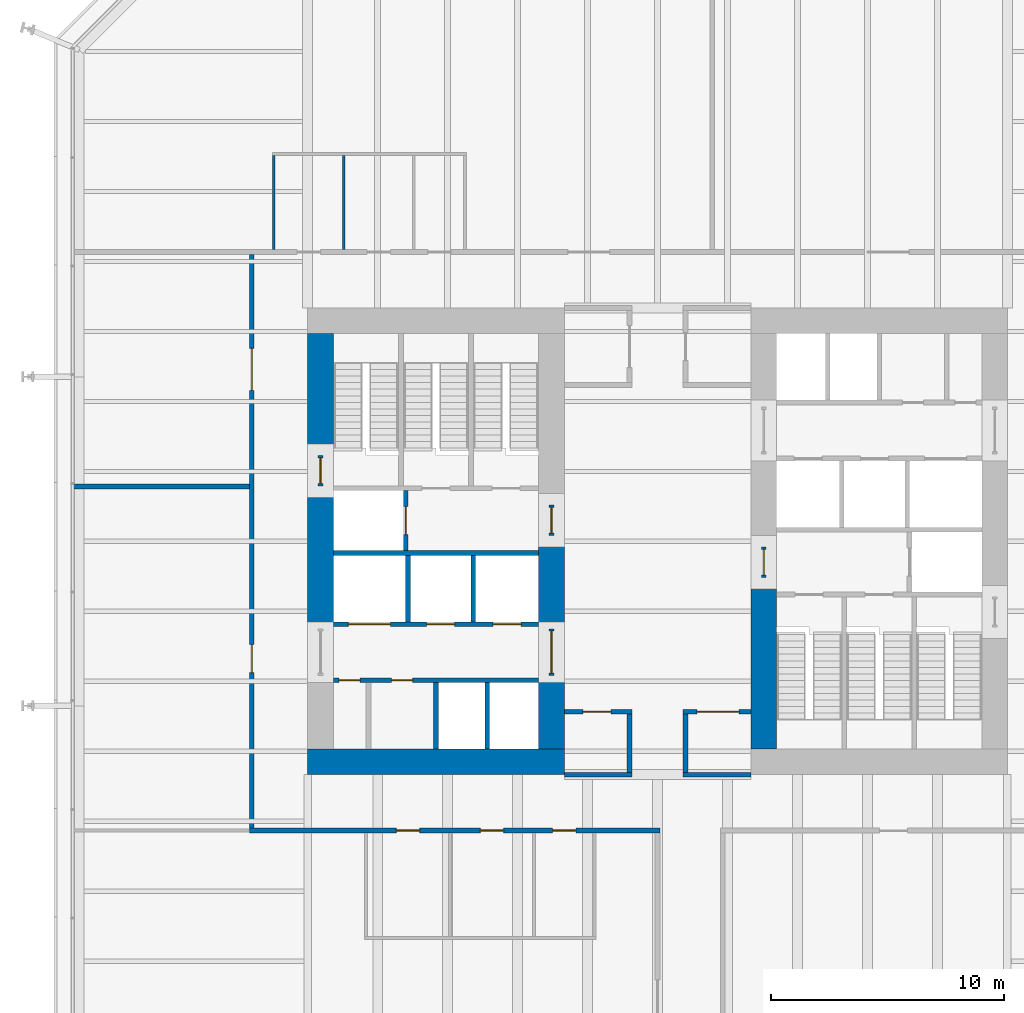
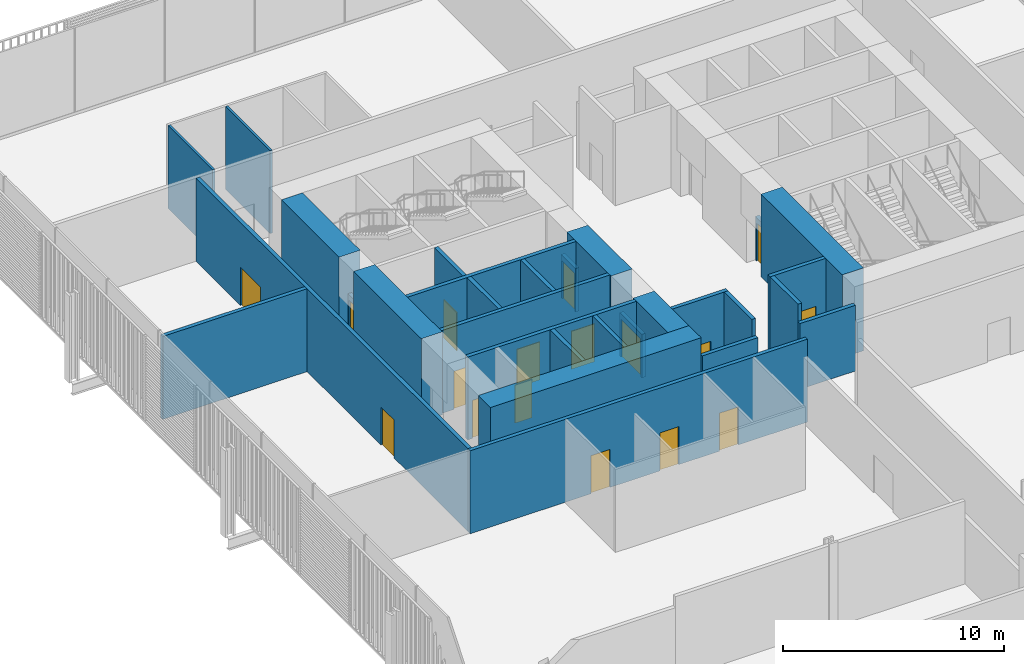
# One storey, part 19 of 25: 29 walls, 17 doors, 17 openings.
"""IFC4 building model written with IfcOpenShell, lengths in metres."""

from ifc_helpers import new_model, si_unit, direction, frame, frame_2d, origin, place, context, subcontext, project, spatial, rectangle, extrude, material, layer, layer_set, type_object, element, fill, save


model = new_model("IFC4")

# Units and contexts
model_context = context("Model", 3, precision=1e-05, world=origin(), true_north=direction((0.0, 1.0)))
body_context = subcontext(model_context, "Body", "Model", "MODEL_VIEW")
ifc_project = project(units=[si_unit("LENGTHUNIT", "METRE"), si_unit("AREAUNIT", "SQUARE_METRE"), si_unit("VOLUMEUNIT", "CUBIC_METRE"), si_unit("PLANEANGLEUNIT", "RADIAN"), si_unit("MASSUNIT", "GRAM", prefix="KILO")], contexts=[model_context])

# Site, building, storey
site_placement = place(None, origin())
site = spatial("IfcSite", under=ifc_project, at=site_placement, CompositionType="ELEMENT")
building_placement = place(site_placement, origin())
building = spatial("IfcBuilding", under=site, at=building_placement, Name="Millrace Tower", CompositionType="ELEMENT")
storey_placement = place(building_placement, frame((0.0, 0.0, 6.5)))
storey = spatial("IfcBuildingStorey", under=building, at=storey_placement, Name="L02", CompositionType="ELEMENT", Elevation=6.5)

# Walls
ifc_material_1 = material(Name="Concrete C80", Category="concrete")
ifc_layer_1 = layer(ifc_material_1, 1.10009765625)
ifc_layer_set_1 = layer_set([ifc_layer_1], Name="Concrete C80")
wall_type_1 = type_object("IfcWallType", Name="Core wall 1100 Concrete C80", PredefinedType="SHEAR", material=ifc_layer_set_1)
wall_1_placement = place(storey_placement, frame((-15.0, -9.449951171875, 0.0), z_axis=(0.0, 0.0, 1.0), x_axis=(1.0, 0.0, 0.0)))
element("IfcWall", 1, at=wall_1_placement, inside=storey, type_object=wall_type_1, Name="Core wall W L02", PredefinedType="SHEAR", context=body_context, shape_type="SweptSolid", body=[
    extrude(rectangle(XDim=11.0, YDim=1.10009765625, at=frame_2d((5.5, 0.0))), origin(), (0.0, 0.0, 1.0), 4.574951171875),
])
wall_2_placement = place(storey_placement, frame((-14.449951171875, -3.75, 0.0), z_axis=(0.0, 0.0, 1.0), x_axis=(0.0, 1.0, 0.0)))
element("IfcWall", 2, at=wall_2_placement, inside=storey, type_object=wall_type_1, Name="Core wall W L02", PredefinedType="SHEAR", context=body_context, shape_type="SweptSolid", body=[
    extrude(rectangle(XDim=6.1298828125, YDim=1.10009765625, at=frame_2d((3.06494140625, 0.0))), origin(), (0.0, 0.0, 1.0), 4.574951171875),
])
wall_3_placement = place(storey_placement, frame((-14.449951171875, 3.679931640625, 0.0), z_axis=(0.0, 0.0, 1.0), x_axis=(0.0, 1.0, 0.0)))
element("IfcWall", 3, at=wall_3_placement, inside=storey, type_object=wall_type_1, Name="Core wall W L02", PredefinedType="SHEAR", context=body_context, shape_type="SweptSolid", body=[
    extrude(rectangle(XDim=5.219970703125, YDim=1.10009765625, at=frame_2d((2.60986328125, 0.0))), origin(), (0.0, 0.0, 1.0), 4.574951171875),
])
wall_4_placement = place(storey_placement, frame((-4.550048828125, -8.89990234375, 0.0), z_axis=(0.0, 0.0, 1.0), x_axis=(0.0, 1.0, 0.0)))
element("IfcWall", 4, at=wall_4_placement, inside=storey, type_object=wall_type_1, Name="Core wall W L02", PredefinedType="SHEAR", context=body_context, shape_type="SweptSolid", body=[
    extrude(rectangle(XDim=3.14990234375, YDim=1.10009765625, at=frame_2d((1.574951171875, 0.0))), origin(), (0.0, 0.0, 1.0), 4.574951171875),
])
wall_5_placement = place(storey_placement, frame((-4.550048828125, -3.75, 0.0), z_axis=(0.0, 0.0, 1.0), x_axis=(0.0, 1.0, 0.0)))
element("IfcWall", 5, at=wall_5_placement, inside=storey, type_object=wall_type_1, Name="Core wall W L02", PredefinedType="SHEAR", context=body_context, shape_type="SweptSolid", body=[
    extrude(rectangle(XDim=4.0, YDim=1.10009765625, at=frame_2d((2.0, 0.0))), origin(), (0.0, 0.0, 1.0), 4.574951171875),
])
wall_6_placement = place(storey_placement, frame((4.550048828125, -1.550048828125, 0.0), z_axis=(0.0, 0.0, 1.0), x_axis=(0.0, -1.0, 0.0)))
element("IfcWall", 6, at=wall_6_placement, inside=storey, type_object=wall_type_1, Name="Core wall E L02", PredefinedType="SHEAR", context=body_context, shape_type="SweptSolid", body=[
    extrude(rectangle(XDim=7.349853515625, YDim=1.10009765625, at=frame_2d((3.6748046875, 0.0))), origin(), (0.0, 0.0, 1.0), 4.574951171875),
])

# Wall, openings, doors
ifc_material_2 = material(Name="Masonry partition, fire-rated", Category="masonry")
ifc_layer_2 = layer(ifc_material_2, 0.199951171875)
ifc_layer_set_2 = layer_set([ifc_layer_2], Name="Masonry partition, fire-rated")
wall_type_2 = type_object("IfcWallType", Name="Corridor wall 200", PredefinedType="PARTITIONING", material=ifc_layer_set_2)
wall_7_placement = place(storey_placement, frame((-17.5, -12.39990234375, 0.0), z_axis=(0.0, 0.0, 1.0), x_axis=(1.0, 0.0, 0.0)))
wall_7 = element("IfcWall", 7, at=wall_7_placement, inside=storey, type_object=wall_type_2, Name="Corridor wall L02", PredefinedType="PARTITIONING", context=body_context, shape_type="SweptSolid", body=[
    extrude(rectangle(XDim=17.60009765625, YDim=0.199951171875, at=frame_2d((8.800048828125, 0.0))), origin(), (0.0, 0.0, 1.0), 4.574951171875),
])
opening_1_placement = place(wall_7_placement, frame((6.300048828125, 0.0, 0.0)))
opening_1 = element("IfcOpeningElement", 8, at=opening_1_placement, cuts=wall_7, Name="Opening 02-P016", PredefinedType="OPENING", context=body_context, shape_type="SweptSolid", body=[
    extrude(rectangle(XDim=1.0, YDim=2.10009765625, at=frame_2d((0.5, 1.050048828125))), frame((0.0, 0.10986328125, 0.0), z_axis=(0.0, -1.0, 0.0), x_axis=(1.0, 0.0, 0.0)), (0.0, 0.0, 1.0), 0.219970703125),
])
opening_2_placement = place(wall_7_placement, frame((9.89990234375, 0.0, 0.0)))
opening_2 = element("IfcOpeningElement", 9, at=opening_2_placement, cuts=wall_7, Name="Opening 02-P017", PredefinedType="OPENING", context=body_context, shape_type="SweptSolid", body=[
    extrude(rectangle(XDim=1.0, YDim=2.10009765625, at=frame_2d((0.5, 1.050048828125))), frame((0.0, 0.10986328125, 0.0), z_axis=(0.0, -1.0, 0.0), x_axis=(1.0, 0.0, 0.0)), (0.0, 0.0, 1.0), 0.219970703125),
])
opening_3_placement = place(wall_7_placement, frame((13.0, 0.0, 0.0)))
opening_3 = element("IfcOpeningElement", 10, at=opening_3_placement, cuts=wall_7, Name="Opening 02-P018", PredefinedType="OPENING", context=body_context, shape_type="SweptSolid", body=[
    extrude(rectangle(XDim=1.0, YDim=2.10009765625, at=frame_2d((0.5, 1.050048828125))), frame((0.0, 0.10986328125, 0.0), z_axis=(0.0, -1.0, 0.0), x_axis=(1.0, 0.0, 0.0)), (0.0, 0.0, 1.0), 0.219970703125),
])
ifc_material_3 = material(Name="Steel door set, fire-rated", Category="steel")
door_type_1 = type_object("IfcDoorType", Name="Corridor door 1000 x 2100", OperationType="SINGLE_SWING_LEFT", PredefinedType="DOOR", material=ifc_material_3)
door_1_placement = place(opening_1_placement, frame((1.0, 0.0, 0.0), z_axis=(0.0, 0.0, 1.0), x_axis=(-1.0, 0.0, 0.0)))
door_1 = element("IfcDoor", 11, at=door_1_placement, inside=storey, type_object=door_type_1, Name="Door 02-P016", OperationType="SINGLE_SWING_RIGHT", OverallHeight=2.10009765625, OverallWidth=1.0, PredefinedType="DOOR", context=body_context, shape_type="SweptSolid", body=[
    extrude(rectangle(XDim=1.0, YDim=2.10009765625, at=frame_2d((0.5, 1.050048828125))), frame((0.0, 0.02490234375, 0.0), z_axis=(0.0, -1.0, 0.0), x_axis=(1.0, 0.0, 0.0)), (0.0, 0.0, 1.0), 0.050048828125),
])
fill(opening_1, door_1)
door_2_placement = place(opening_2_placement, frame((1.0, 0.0, 0.0), z_axis=(0.0, 0.0, 1.0), x_axis=(-1.0, 0.0, 0.0)))
door_2 = element("IfcDoor", 12, at=door_2_placement, inside=storey, type_object=door_type_1, Name="Door 02-P017", OperationType="SINGLE_SWING_LEFT", OverallHeight=2.10009765625, OverallWidth=1.0, PredefinedType="DOOR", context=body_context, shape_type="SweptSolid", body=[
    extrude(rectangle(XDim=1.0, YDim=2.10009765625, at=frame_2d((0.5, 1.050048828125))), frame((0.0, 0.02490234375, 0.0), z_axis=(0.0, -1.0, 0.0), x_axis=(1.0, 0.0, 0.0)), (0.0, 0.0, 1.0), 0.050048828125),
])
fill(opening_2, door_2)
door_3_placement = place(opening_3_placement, frame((1.0, 0.0, 0.0), z_axis=(0.0, 0.0, 1.0), x_axis=(-1.0, 0.0, 0.0)))
door_3 = element("IfcDoor", 13, at=door_3_placement, inside=storey, type_object=door_type_1, Name="Door 02-P018", OperationType="SINGLE_SWING_LEFT", OverallHeight=2.10009765625, OverallWidth=1.0, PredefinedType="DOOR", context=body_context, shape_type="SweptSolid", body=[
    extrude(rectangle(XDim=1.0, YDim=2.10009765625, at=frame_2d((0.5, 1.050048828125))), frame((0.0, 0.02490234375, 0.0), z_axis=(0.0, -1.0, 0.0), x_axis=(1.0, 0.0, 0.0)), (0.0, 0.0, 1.0), 0.050048828125),
])
fill(opening_3, door_3)

# Walls
for number, where, z_axis, x_axis, name in (
    (14, (-4.0, -10.0, 0.0), (0.0, 0.0, 1.0), (1.0, 0.0, 0.0), "Corridor wall L02"),
    (15, (1.10009765625, -10.0, 0.0), (0.0, 0.0, 1.0), (1.0, 0.0, 0.0), "Corridor wall L02"),
):
    element("IfcWall", number, at=place(storey_placement, frame(where, z_axis=z_axis, x_axis=x_axis)), inside=storey, type_object=wall_type_2, Name=name, PredefinedType="PARTITIONING", context=body_context, shape_type="SweptSolid", body=[
        extrude(rectangle(XDim=2.89990234375, YDim=0.199951171875, at=frame_2d((1.449951171875, 0.0))), origin(), (0.0, 0.0, 1.0), 3.627685546875),
    ])

# Wall, opening, door
wall_8_placement = place(storey_placement, frame((-4.0, -7.300048828125, 0.0), z_axis=(0.0, 0.0, 1.0), x_axis=(1.0, 0.0, 0.0)))
wall_8 = element("IfcWall", 16, at=wall_8_placement, inside=storey, type_object=wall_type_2, Name="Corridor wall L02", PredefinedType="PARTITIONING", context=body_context, shape_type="SweptSolid", body=[
    extrude(rectangle(XDim=2.89990234375, YDim=0.199951171875, at=frame_2d((1.449951171875, 0.0))), origin(), (0.0, 0.0, 1.0), 4.574951171875),
])
opening_4_placement = place(wall_8_placement, frame((0.800048828125, 0.0, 0.0)))
opening_4 = element("IfcOpeningElement", 17, at=opening_4_placement, cuts=wall_8, Name="Opening 02-P003", PredefinedType="OPENING", context=body_context, shape_type="SweptSolid", body=[
    extrude(rectangle(XDim=1.199951171875, YDim=2.10009765625, at=frame_2d((0.60009765625, 1.050048828125))), frame((0.0, 0.10986328125, 0.0), z_axis=(0.0, -1.0, 0.0), x_axis=(1.0, 0.0, 0.0)), (0.0, 0.0, 1.0), 0.219970703125),
])
ifc_material_4 = material(Name="Steel door set, fire-rated", Category="steel")
door_type_2 = type_object("IfcDoorType", Name="Corridor door 1200 x 2100", OperationType="SINGLE_SWING_LEFT", PredefinedType="DOOR", material=ifc_material_4)
door_4_placement = place(opening_4_placement, frame((1.199951171875, 0.0, 0.0), z_axis=(0.0, 0.0, 1.0), x_axis=(-1.0, 0.0, 0.0)))
door_4 = element("IfcDoor", 18, at=door_4_placement, inside=storey, type_object=door_type_2, Name="Door 02-P003", OperationType="SINGLE_SWING_RIGHT", OverallHeight=2.10009765625, OverallWidth=1.199951171875, PredefinedType="DOOR", context=body_context, shape_type="SweptSolid", body=[
    extrude(rectangle(XDim=1.199951171875, YDim=2.10009765625, at=frame_2d((0.60009765625, 1.050048828125))), frame((0.0, 0.02490234375, 0.0), z_axis=(0.0, -1.0, 0.0), x_axis=(1.0, 0.0, 0.0)), (0.0, 0.0, 1.0), 0.050048828125),
])
fill(opening_4, door_4)

wall_9_placement = place(storey_placement, frame((1.10009765625, -7.300048828125, 0.0), z_axis=(0.0, 0.0, 1.0), x_axis=(1.0, 0.0, 0.0)))
wall_9 = element("IfcWall", 19, at=wall_9_placement, inside=storey, type_object=wall_type_2, Name="Corridor wall L02", PredefinedType="PARTITIONING", context=body_context, shape_type="SweptSolid", body=[
    extrude(rectangle(XDim=2.89990234375, YDim=0.199951171875, at=frame_2d((1.449951171875, 0.0))), origin(), (0.0, 0.0, 1.0), 4.574951171875),
])
opening_5_placement = place(wall_9_placement, frame((0.60009765625, 0.0, 0.0)))
opening_5 = element("IfcOpeningElement", 20, at=opening_5_placement, cuts=wall_9, Name="Opening 02-P004", PredefinedType="OPENING", context=body_context, shape_type="SweptSolid", body=[
    extrude(rectangle(XDim=1.800048828125, YDim=2.10009765625, at=frame_2d((0.89990234375, 1.050048828125))), frame((0.0, 0.10986328125, 0.0), z_axis=(0.0, -1.0, 0.0), x_axis=(1.0, 0.0, 0.0)), (0.0, 0.0, 1.0), 0.219970703125),
])
ifc_material_5 = material(Name="Steel door set, fire-rated", Category="steel")
door_type_3 = type_object("IfcDoorType", Name="Data hall door 1800 x 2100", OperationType="DOUBLE_DOOR_SINGLE_SWING", PredefinedType="DOOR", material=ifc_material_5)
door_5_placement = place(opening_5_placement, frame((1.800048828125, 0.0, 0.0), z_axis=(0.0, 0.0, 1.0), x_axis=(-1.0, 0.0, 0.0)))
door_5 = element("IfcDoor", 21, at=door_5_placement, inside=storey, type_object=door_type_3, Name="Door 02-P004", OperationType="DOUBLE_DOOR_SINGLE_SWING", OverallHeight=2.10009765625, OverallWidth=1.800048828125, PredefinedType="DOOR", context=body_context, shape_type="SweptSolid", body=[
    extrude(rectangle(XDim=1.800048828125, YDim=2.10009765625, at=frame_2d((0.89990234375, 1.050048828125))), frame((0.0, 0.02490234375, 0.0), z_axis=(0.0, -1.0, 0.0), x_axis=(1.0, 0.0, 0.0)), (0.0, 0.0, 1.0), 0.050048828125),
])
fill(opening_5, door_5)

# Walls
wall_10_placement = place(storey_placement, frame((-25.030029296875, 2.35009765625, 0.0), z_axis=(0.0, 0.0, 1.0), x_axis=(1.0, 0.0, 0.0)))
element("IfcWall", 22, at=wall_10_placement, inside=storey, type_object=wall_type_2, Name="Corridor wall L02", PredefinedType="PARTITIONING", context=body_context, shape_type="SweptSolid", body=[
    extrude(rectangle(XDim=7.530029296875, YDim=0.199951171875, at=frame_2d((3.76513671875, 0.0))), origin(), (0.0, 0.0, 1.0), 4.574951171875),
])
for number, where, z_axis, x_axis, name in (
    (23, (1.199951171875, -9.89990234375, 0.0), (0.0, 0.0, 1.0), (0.0, 1.0, 0.0), "Corridor wall L02"),
    (24, (-1.199951171875, -9.89990234375, 0.0), (0.0, 0.0, 1.0), (0.0, 1.0, 0.0), "Corridor wall L02"),
):
    element("IfcWall", number, at=place(storey_placement, frame(where, z_axis=z_axis, x_axis=x_axis)), inside=storey, type_object=wall_type_2, Name=name, PredefinedType="PARTITIONING", context=body_context, shape_type="SweptSolid", body=[
        extrude(rectangle(XDim=2.5, YDim=0.199951171875, at=frame_2d((1.25, 0.0))), origin(), (0.0, 0.0, 1.0), 4.574951171875),
    ])

# Wall, openings, doors
wall_11_placement = place(storey_placement, frame((-17.39990234375, -12.300048828125, 0.0), z_axis=(0.0, 0.0, 1.0), x_axis=(0.0, 1.0, 0.0)))
wall_11 = element("IfcWall", 25, at=wall_11_placement, inside=storey, type_object=wall_type_2, Name="Corridor wall L02", PredefinedType="PARTITIONING", context=body_context, shape_type="SweptSolid", body=[
    extrude(rectangle(XDim=24.60009765625, YDim=0.199951171875, at=frame_2d((12.300048828125, 0.0))), origin(), (0.0, 0.0, 1.0), 4.574951171875),
])
opening_6_placement = place(wall_11_placement, frame((6.675048828125, 0.0, 0.0)))
opening_6 = element("IfcOpeningElement", 26, at=opening_6_placement, cuts=wall_11, Name="Opening 02-P012", PredefinedType="OPENING", context=body_context, shape_type="SweptSolid", body=[
    extrude(rectangle(XDim=1.199951171875, YDim=2.10009765625, at=frame_2d((0.60009765625, 1.050048828125))), frame((0.0, 0.10986328125, 0.0), z_axis=(0.0, -1.0, 0.0), x_axis=(1.0, 0.0, 0.0)), (0.0, 0.0, 1.0), 0.219970703125),
])
opening_7_placement = place(wall_11_placement, frame((18.77490234375, 0.0, 0.0)))
opening_7 = element("IfcOpeningElement", 27, at=opening_7_placement, cuts=wall_11, Name="Opening 02-P013", PredefinedType="OPENING", context=body_context, shape_type="SweptSolid", body=[
    extrude(rectangle(XDim=1.800048828125, YDim=2.10009765625, at=frame_2d((0.89990234375, 1.050048828125))), frame((0.0, 0.10986328125, 0.0), z_axis=(0.0, -1.0, 0.0), x_axis=(1.0, 0.0, 0.0)), (0.0, 0.0, 1.0), 0.219970703125),
])
door_6_placement = place(opening_6_placement, origin())
door_6 = element("IfcDoor", 28, at=door_6_placement, inside=storey, type_object=door_type_2, Name="Door 02-P012", OperationType="SINGLE_SWING_LEFT", OverallHeight=2.10009765625, OverallWidth=1.199951171875, PredefinedType="DOOR", context=body_context, shape_type="SweptSolid", body=[
    extrude(rectangle(XDim=1.199951171875, YDim=2.10009765625, at=frame_2d((0.60009765625, 1.050048828125))), frame((0.0, 0.02490234375, 0.0), z_axis=(0.0, -1.0, 0.0), x_axis=(1.0, 0.0, 0.0)), (0.0, 0.0, 1.0), 0.050048828125),
])
fill(opening_6, door_6)
door_7_placement = place(opening_7_placement, origin())
door_7 = element("IfcDoor", 29, at=door_7_placement, inside=storey, type_object=door_type_3, Name="Door 02-P013", OperationType="DOUBLE_DOOR_SINGLE_SWING", OverallHeight=2.10009765625, OverallWidth=1.800048828125, PredefinedType="DOOR", context=body_context, shape_type="SweptSolid", body=[
    extrude(rectangle(XDim=1.800048828125, YDim=2.10009765625, at=frame_2d((0.89990234375, 1.050048828125))), frame((0.0, 0.02490234375, 0.0), z_axis=(0.0, -1.0, 0.0), x_axis=(1.0, 0.0, 0.0)), (0.0, 0.0, 1.0), 0.050048828125),
])
fill(opening_7, door_7)

ifc_material_6 = material(Name="Masonry partition, fire-rated", Category="masonry")
ifc_layer_3 = layer(ifc_material_6, 0.199951171875)
ifc_layer_set_3 = layer_set([ifc_layer_3], Name="Masonry partition, fire-rated")
wall_type_3 = type_object("IfcWallType", Name="Lift shaft wall 200", PredefinedType="PARTITIONING", material=ifc_layer_set_3)
wall_12_placement = place(storey_placement, frame((-13.89990234375, -5.949951171875, 0.0), z_axis=(0.0, 0.0, 1.0), x_axis=(1.0, 0.0, 0.0)))
wall_12 = element("IfcWall", 30, at=wall_12_placement, inside=storey, type_object=wall_type_3, Name="Lift shaft wall W L02", PredefinedType="PARTITIONING", context=body_context, shape_type="SweptSolid", body=[
    extrude(rectangle(XDim=8.7998046875, YDim=0.199951171875, at=frame_2d((4.39990234375, 0.0))), origin(), (0.0, 0.0, 1.0), 4.574951171875),
])
opening_8_placement = place(wall_12_placement, frame((0.25244140625, 0.0, 0.0)))
opening_8 = element("IfcOpeningElement", 31, at=opening_8_placement, cuts=wall_12, Name="Opening 02-C005", PredefinedType="OPENING", context=body_context, shape_type="SweptSolid", body=[
    extrude(rectangle(XDim=0.89990234375, YDim=2.10009765625, at=frame_2d((0.449951171875, 1.050048828125))), frame((0.0, 0.10986328125, 0.0), z_axis=(0.0, -1.0, 0.0), x_axis=(1.0, 0.0, 0.0)), (0.0, 0.0, 1.0), 0.219970703125),
])
opening_9_placement = place(wall_12_placement, frame((2.50244140625, 0.0, 0.0)))
opening_9 = element("IfcOpeningElement", 32, at=opening_9_placement, cuts=wall_12, Name="Opening 02-C006", PredefinedType="OPENING", context=body_context, shape_type="SweptSolid", body=[
    extrude(rectangle(XDim=0.89990234375, YDim=2.10009765625, at=frame_2d((0.449951171875, 1.050048828125))), frame((0.0, 0.10986328125, 0.0), z_axis=(0.0, -1.0, 0.0), x_axis=(1.0, 0.0, 0.0)), (0.0, 0.0, 1.0), 0.219970703125),
])
ifc_material_7 = material(Name="Steel door, fire-rated", Category="steel")
door_type_4 = type_object("IfcDoorType", Name="Service room door 900 x 2100", OperationType="SINGLE_SWING_LEFT", PredefinedType="DOOR", material=ifc_material_7)
door_8_placement = place(opening_8_placement, frame((0.89990234375, 0.0, 0.0), z_axis=(0.0, 0.0, 1.0), x_axis=(-1.0, 0.0, 0.0)))
door_8 = element("IfcDoor", 33, at=door_8_placement, inside=storey, type_object=door_type_4, Name="Service room door 02-C005", OperationType="SINGLE_SWING_RIGHT", OverallHeight=2.10009765625, OverallWidth=0.89990234375, PredefinedType="DOOR", context=body_context, shape_type="SweptSolid", body=[
    extrude(rectangle(XDim=0.89990234375, YDim=2.10009765625, at=frame_2d((0.449951171875, 1.050048828125))), frame((0.0, 0.02490234375, 0.0), z_axis=(0.0, -1.0, 0.0), x_axis=(1.0, 0.0, 0.0)), (0.0, 0.0, 1.0), 0.050048828125),
])
fill(opening_8, door_8)
door_9_placement = place(opening_9_placement, frame((0.89990234375, 0.0, 0.0), z_axis=(0.0, 0.0, 1.0), x_axis=(-1.0, 0.0, 0.0)))
door_9 = element("IfcDoor", 34, at=door_9_placement, inside=storey, type_object=door_type_4, Name="Service room door 02-C006", OperationType="SINGLE_SWING_RIGHT", OverallHeight=2.10009765625, OverallWidth=0.89990234375, PredefinedType="DOOR", context=body_context, shape_type="SweptSolid", body=[
    extrude(rectangle(XDim=0.89990234375, YDim=2.10009765625, at=frame_2d((0.449951171875, 1.050048828125))), frame((0.0, 0.02490234375, 0.0), z_axis=(0.0, -1.0, 0.0), x_axis=(1.0, 0.0, 0.0)), (0.0, 0.0, 1.0), 0.050048828125),
])
fill(opening_9, door_9)

wall_13_placement = place(storey_placement, frame((-13.89990234375, -3.550048828125, 0.0), z_axis=(0.0, 0.0, 1.0), x_axis=(1.0, 0.0, 0.0)))
wall_13 = element("IfcWall", 35, at=wall_13_placement, inside=storey, type_object=wall_type_3, Name="Lift shaft wall W L02", PredefinedType="PARTITIONING", context=body_context, shape_type="SweptSolid", body=[
    extrude(rectangle(XDim=8.7998046875, YDim=0.199951171875, at=frame_2d((4.39990234375, 0.0))), origin(), (0.0, 0.0, 1.0), 4.574951171875),
])
opening_10_placement = place(wall_13_placement, frame((0.64990234375, 0.0, 0.0)))
opening_10 = element("IfcOpeningElement", 36, at=opening_10_placement, cuts=wall_13, Name="Opening 02-LD05", PredefinedType="OPENING", context=body_context, shape_type="SweptSolid", body=[
    extrude(rectangle(XDim=1.800048828125, YDim=2.10009765625, at=frame_2d((0.89990234375, 1.050048828125))), frame((0.0, 0.10986328125, 0.0), z_axis=(0.0, -1.0, 0.0), x_axis=(1.0, 0.0, 0.0)), (0.0, 0.0, 1.0), 0.219970703125),
])
opening_11_placement = place(wall_13_placement, frame((4.0, 0.0, 0.0)))
opening_11 = element("IfcOpeningElement", 37, at=opening_11_placement, cuts=wall_13, Name="Opening 02-LD06", PredefinedType="OPENING", context=body_context, shape_type="SweptSolid", body=[
    extrude(rectangle(XDim=1.199951171875, YDim=2.10009765625, at=frame_2d((0.60009765625, 1.050048828125))), frame((0.0, 0.10986328125, 0.0), z_axis=(0.0, -1.0, 0.0), x_axis=(1.0, 0.0, 0.0)), (0.0, 0.0, 1.0), 0.219970703125),
])
opening_12_placement = place(wall_13_placement, frame((6.85009765625, 0.0, 0.0)))
opening_12 = element("IfcOpeningElement", 38, at=opening_12_placement, cuts=wall_13, Name="Opening 02-LD07", PredefinedType="OPENING", context=body_context, shape_type="SweptSolid", body=[
    extrude(rectangle(XDim=1.199951171875, YDim=2.10009765625, at=frame_2d((0.60009765625, 1.050048828125))), frame((0.0, 0.10986328125, 0.0), z_axis=(0.0, -1.0, 0.0), x_axis=(1.0, 0.0, 0.0)), (0.0, 0.0, 1.0), 0.219970703125),
])
ifc_material_8 = material(Name="Stainless steel, fire-rated", Category="steel")
door_type_5 = type_object("IfcDoorType", Name="Lift landing door 1200 x 2100", OperationType="DOUBLE_DOOR_SLIDING", PredefinedType="DOOR", material=ifc_material_8)
door_10_placement = place(opening_11_placement, origin())
door_10 = element("IfcDoor", 39, at=door_10_placement, inside=storey, type_object=door_type_5, Name="Lift landing door LF6 L02", OperationType="DOUBLE_DOOR_SLIDING", OverallHeight=2.10009765625, OverallWidth=1.199951171875, PredefinedType="DOOR", context=body_context, shape_type="SweptSolid", body=[
    extrude(rectangle(XDim=1.199951171875, YDim=2.10009765625, at=frame_2d((0.60009765625, 1.050048828125))), frame((0.0, 0.02490234375, 0.0), z_axis=(0.0, -1.0, 0.0), x_axis=(1.0, 0.0, 0.0)), (0.0, 0.0, 1.0), 0.050048828125),
])
fill(opening_11, door_10)
door_11_placement = place(opening_12_placement, origin())
door_11 = element("IfcDoor", 40, at=door_11_placement, inside=storey, type_object=door_type_5, Name="Lift landing door LF7 L02", OperationType="DOUBLE_DOOR_SLIDING", OverallHeight=2.10009765625, OverallWidth=1.199951171875, PredefinedType="DOOR", context=body_context, shape_type="SweptSolid", body=[
    extrude(rectangle(XDim=1.199951171875, YDim=2.10009765625, at=frame_2d((0.60009765625, 1.050048828125))), frame((0.0, 0.02490234375, 0.0), z_axis=(0.0, -1.0, 0.0), x_axis=(1.0, 0.0, 0.0)), (0.0, 0.0, 1.0), 0.050048828125),
])
fill(opening_12, door_11)
ifc_material_9 = material(Name="Stainless steel, fire-rated", Category="steel")
door_type_6 = type_object("IfcDoorType", Name="Lift landing door 1800 x 2100", OperationType="DOUBLE_DOOR_SLIDING", PredefinedType="DOOR", material=ifc_material_9)
door_12_placement = place(opening_10_placement, origin())
door_12 = element("IfcDoor", 41, at=door_12_placement, inside=storey, type_object=door_type_6, Name="Lift landing door LF5 L02", OperationType="DOUBLE_DOOR_SLIDING", OverallHeight=2.10009765625, OverallWidth=1.800048828125, PredefinedType="DOOR", context=body_context, shape_type="SweptSolid", body=[
    extrude(rectangle(XDim=1.800048828125, YDim=2.10009765625, at=frame_2d((0.89990234375, 1.050048828125))), frame((0.0, 0.02490234375, 0.0), z_axis=(0.0, -1.0, 0.0), x_axis=(1.0, 0.0, 0.0)), (0.0, 0.0, 1.0), 0.050048828125),
])
fill(opening_10, door_12)

# Wall
wall_14_placement = place(storey_placement, frame((-13.89990234375, -0.5, 0.0), z_axis=(0.0, 0.0, 1.0), x_axis=(1.0, 0.0, 0.0)))
element("IfcWall", 42, at=wall_14_placement, inside=storey, type_object=wall_type_3, Name="Lift shaft wall W L02", PredefinedType="PARTITIONING", context=body_context, shape_type="SweptSolid", body=[
    extrude(rectangle(XDim=8.7998046875, YDim=0.199951171875, at=frame_2d((4.39990234375, 0.0))), origin(), (0.0, 0.0, 1.0), 4.574951171875),
])

# Wall, opening, door
wall_15_placement = place(storey_placement, frame((-10.800048828125, -0.39990234375, 0.0), z_axis=(0.0, 0.0, 1.0), x_axis=(0.0, 1.0, 0.0)))
wall_15 = element("IfcWall", 43, at=wall_15_placement, inside=storey, type_object=wall_type_3, Name="Lift shaft wall W L02", PredefinedType="PARTITIONING", context=body_context, shape_type="SweptSolid", body=[
    extrude(rectangle(XDim=2.579833984375, YDim=0.199951171875, at=frame_2d((1.2900390625, 0.0))), origin(), (0.0, 0.0, 1.0), 4.574951171875),
])
opening_13_placement = place(wall_15_placement, frame((0.68994140625, 0.0, 0.0)))
opening_13 = element("IfcOpeningElement", 44, at=opening_13_placement, cuts=wall_15, Name="Opening 02-LD08", PredefinedType="OPENING", context=body_context, shape_type="SweptSolid", body=[
    extrude(rectangle(XDim=1.199951171875, YDim=2.10009765625, at=frame_2d((0.60009765625, 1.050048828125))), frame((0.0, 0.10986328125, 0.0), z_axis=(0.0, -1.0, 0.0), x_axis=(1.0, 0.0, 0.0)), (0.0, 0.0, 1.0), 0.219970703125),
])
door_13_placement = place(opening_13_placement, origin())
door_13 = element("IfcDoor", 45, at=door_13_placement, inside=storey, type_object=door_type_5, Name="Lift landing door LF8 L02", OperationType="DOUBLE_DOOR_SLIDING", OverallHeight=2.10009765625, OverallWidth=1.199951171875, PredefinedType="DOOR", context=body_context, shape_type="SweptSolid", body=[
    extrude(rectangle(XDim=1.199951171875, YDim=2.10009765625, at=frame_2d((0.60009765625, 1.050048828125))), frame((0.0, 0.02490234375, 0.0), z_axis=(0.0, -1.0, 0.0), x_axis=(1.0, 0.0, 0.0)), (0.0, 0.0, 1.0), 0.050048828125),
])
fill(opening_13, door_13)

# Walls
for number, where, z_axis, x_axis, name in (
    (46, (-9.5, -8.89990234375, 0.0), (0.0, 0.0, 1.0), (0.0, 1.0, 0.0), "Lift shaft wall W L02"),
    (47, (-7.300048828125, -8.89990234375, 0.0), (0.0, 0.0, 1.0), (0.0, 1.0, 0.0), "Lift shaft wall W L02"),
    (48, (-10.699951171875, -3.449951171875, 0.0), (0.0, 0.0, 1.0), (0.0, 1.0, 0.0), "Lift shaft wall W L02"),
    (49, (-7.89990234375, -3.449951171875, 0.0), (0.0, 0.0, 1.0), (0.0, 1.0, 0.0), "Lift shaft wall W L02"),
):
    element("IfcWall", number, at=place(storey_placement, frame(where, z_axis=z_axis, x_axis=x_axis)), inside=storey, type_object=wall_type_3, Name=name, PredefinedType="PARTITIONING", context=body_context, shape_type="SweptSolid", body=[
        extrude(rectangle(XDim=2.849853515625, YDim=0.199951171875, at=frame_2d((1.4248046875, 0.0))), origin(), (0.0, 0.0, 1.0), 4.574951171875),
    ])

# Wall, opening, door
ifc_material_10 = material(Name="Masonry partition, fire-rated", Category="masonry")
ifc_layer_4 = layer(ifc_material_10, 0.199951171875)
ifc_layer_set_4 = layer_set([ifc_layer_4], Name="Masonry partition, fire-rated")
wall_type_4 = type_object("IfcWallType", Name="Lobby wall 200", PredefinedType="PARTITIONING", material=ifc_layer_set_4)
wall_16_placement = place(storey_placement, frame((-4.550048828125, -5.75, 0.0), z_axis=(0.0, 0.0, 1.0), x_axis=(0.0, 1.0, 0.0)))
wall_16 = element("IfcWall", 50, at=wall_16_placement, inside=storey, type_object=wall_type_4, Name="Lobby wall W L02", PredefinedType="PARTITIONING", context=body_context, shape_type="SweptSolid", body=[
    extrude(rectangle(XDim=2.0, YDim=0.199951171875, at=frame_2d((1.0, 0.0))), origin(), (0.0, 0.0, 1.0), 2.39990234375),
])
opening_14_placement = place(wall_16_placement, frame((0.10009765625, 0.0, 0.0)))
opening_14 = element("IfcOpeningElement", 51, at=opening_14_placement, cuts=wall_16, Name="Opening 02-C003", PredefinedType="OPENING", context=body_context, shape_type="SweptSolid", body=[
    extrude(rectangle(XDim=1.800048828125, YDim=2.10009765625, at=frame_2d((0.89990234375, 1.050048828125))), frame((0.0, 0.10986328125, 0.0), z_axis=(0.0, -1.0, 0.0), x_axis=(1.0, 0.0, 0.0)), (0.0, 0.0, 1.0), 0.219970703125),
])
ifc_material_11 = material(Name="Steel door, fire-rated", Category="steel")
door_type_7 = type_object("IfcDoorType", Name="Lobby door 1800 x 2100", OperationType="DOUBLE_DOOR_SINGLE_SWING", PredefinedType="DOOR", material=ifc_material_11)
door_14_placement = place(opening_14_placement, origin())
door_14 = element("IfcDoor", 52, at=door_14_placement, inside=storey, type_object=door_type_7, Name="Lobby door 02-C003", OperationType="DOUBLE_DOOR_SINGLE_SWING", OverallHeight=2.10009765625, OverallWidth=1.800048828125, PredefinedType="DOOR", context=body_context, shape_type="SweptSolid", body=[
    extrude(rectangle(XDim=1.800048828125, YDim=2.10009765625, at=frame_2d((0.89990234375, 1.050048828125))), frame((0.0, 0.02490234375, 0.0), z_axis=(0.0, -1.0, 0.0), x_axis=(1.0, 0.0, 0.0)), (0.0, 0.0, 1.0), 0.050048828125),
])
fill(opening_14, door_14)

wall_17_placement = place(storey_placement, frame((-4.550048828125, 0.25, 0.0), z_axis=(0.0, 0.0, 1.0), x_axis=(0.0, 1.0, 0.0)))
wall_17 = element("IfcWall", 53, at=wall_17_placement, inside=storey, type_object=wall_type_4, Name="Lobby wall W L02", PredefinedType="PARTITIONING", context=body_context, shape_type="SweptSolid", body=[
    extrude(rectangle(XDim=1.300048828125, YDim=0.199951171875, at=frame_2d((0.64990234375, 0.0))), origin(), (0.0, 0.0, 1.0), 2.39990234375),
])
opening_15_placement = place(wall_17_placement, frame((0.10009765625, 0.0, 0.0)))
opening_15 = element("IfcOpeningElement", 54, at=opening_15_placement, cuts=wall_17, Name="Opening 02-C004", PredefinedType="OPENING", context=body_context, shape_type="SweptSolid", body=[
    extrude(rectangle(XDim=1.10009765625, YDim=2.10009765625, at=frame_2d((0.550048828125, 1.050048828125))), frame((0.0, 0.10986328125, 0.0), z_axis=(0.0, -1.0, 0.0), x_axis=(1.0, 0.0, 0.0)), (0.0, 0.0, 1.0), 0.219970703125),
])
ifc_material_12 = material(Name="Steel door, fire-rated", Category="steel")
door_type_8 = type_object("IfcDoorType", Name="Lobby door 1100 x 2100", OperationType="SINGLE_SWING_LEFT", PredefinedType="DOOR", material=ifc_material_12)
door_15_placement = place(opening_15_placement, origin())
door_15 = element("IfcDoor", 55, at=door_15_placement, inside=storey, type_object=door_type_8, Name="Lobby door 02-C004", OperationType="SINGLE_SWING_RIGHT", OverallHeight=2.10009765625, OverallWidth=1.10009765625, PredefinedType="DOOR", context=body_context, shape_type="SweptSolid", body=[
    extrude(rectangle(XDim=1.10009765625, YDim=2.10009765625, at=frame_2d((0.550048828125, 1.050048828125))), frame((0.0, 0.02490234375, 0.0), z_axis=(0.0, -1.0, 0.0), x_axis=(1.0, 0.0, 0.0)), (0.0, 0.0, 1.0), 0.050048828125),
])
fill(opening_15, door_15)

wall_18_placement = place(storey_placement, frame((4.550048828125, -0.25, 0.0), z_axis=(0.0, 0.0, 1.0), x_axis=(0.0, -1.0, 0.0)))
wall_18 = element("IfcWall", 56, at=wall_18_placement, inside=storey, type_object=wall_type_4, Name="Lobby wall E L02", PredefinedType="PARTITIONING", context=body_context, shape_type="SweptSolid", body=[
    extrude(rectangle(XDim=1.300048828125, YDim=0.199951171875, at=frame_2d((0.64990234375, 0.0))), origin(), (0.0, 0.0, 1.0), 2.39990234375),
])
opening_16_placement = place(wall_18_placement, frame((0.10009765625, 0.0, 0.0)))
opening_16 = element("IfcOpeningElement", 57, at=opening_16_placement, cuts=wall_18, Name="Opening 02-C012", PredefinedType="OPENING", context=body_context, shape_type="SweptSolid", body=[
    extrude(rectangle(XDim=1.10009765625, YDim=2.10009765625, at=frame_2d((0.550048828125, 1.050048828125))), frame((0.0, 0.10986328125, 0.0), z_axis=(0.0, -1.0, 0.0), x_axis=(1.0, 0.0, 0.0)), (0.0, 0.0, 1.0), 0.219970703125),
])
door_16_placement = place(opening_16_placement, origin())
door_16 = element("IfcDoor", 58, at=door_16_placement, inside=storey, type_object=door_type_8, Name="Lobby door 02-C012", OperationType="SINGLE_SWING_LEFT", OverallHeight=2.10009765625, OverallWidth=1.10009765625, PredefinedType="DOOR", context=body_context, shape_type="SweptSolid", body=[
    extrude(rectangle(XDim=1.10009765625, YDim=2.10009765625, at=frame_2d((0.550048828125, 1.050048828125))), frame((0.0, 0.02490234375, 0.0), z_axis=(0.0, -1.0, 0.0), x_axis=(1.0, 0.0, 0.0)), (0.0, 0.0, 1.0), 0.050048828125),
])
fill(opening_16, door_16)

# Walls
ifc_material_13 = material(Name="Gypsum board partition")
ifc_layer_5 = layer(ifc_material_13, 0.1201171875)
ifc_layer_set_5 = layer_set([ifc_layer_5], Name="Gypsum board partition")
wall_type_5 = type_object("IfcWallType", Name="Partition wall 120", PredefinedType="PARTITIONING", material=ifc_layer_set_5)
wall_19_placement = place(storey_placement, frame((-13.449951171875, 12.5, 0.0), z_axis=(0.0, 0.0, 1.0), x_axis=(0.0, 1.0, 0.0)))
element("IfcWall", 59, at=wall_19_placement, inside=storey, type_object=wall_type_5, Name="Partition wall L02", PredefinedType="PARTITIONING", context=body_context, shape_type="SweptSolid", body=[
    extrude(rectangle(XDim=4.0400390625, YDim=0.1201171875, at=frame_2d((2.02001953125, 0.0))), origin(), (0.0, 0.0, 1.0), 4.574951171875),
])
wall_20_placement = place(storey_placement, frame((-16.449951171875, 12.5, 0.0), z_axis=(0.0, 0.0, 1.0), x_axis=(0.0, 1.0, 0.0)))
element("IfcWall", 60, at=wall_20_placement, inside=storey, type_object=wall_type_5, Name="Partition wall L02", PredefinedType="PARTITIONING", context=body_context, shape_type="SweptSolid", body=[
    extrude(rectangle(XDim=4.0390625, YDim=0.1201171875, at=frame_2d((2.01953125, 0.0))), origin(), (0.0, 0.0, 1.0), 4.574951171875),
])

# Wall, opening, door
ifc_material_14 = material(Name="Concrete C40", Category="concrete")
ifc_layer_6 = layer(ifc_material_14, 0.199951171875)
ifc_layer_set_6 = layer_set([ifc_layer_6], Name="Concrete C40")
wall_type_6 = type_object("IfcWallType", Name="Stair enclosure wall 200 Concrete C40", PredefinedType="SHEAR", material=ifc_layer_set_6)
wall_21_placement = place(storey_placement, frame((-14.449951171875, 2.3798828125, 0.0), z_axis=(0.0, 0.0, 1.0), x_axis=(0.0, 1.0, 0.0)))
wall_21 = element("IfcWall", 61, at=wall_21_placement, inside=storey, type_object=wall_type_6, Name="Stair enclosure wall W L02", PredefinedType="SHEAR", context=body_context, shape_type="SweptSolid", body=[
    extrude(rectangle(XDim=1.300048828125, YDim=0.199951171875, at=frame_2d((0.64990234375, 0.0))), origin(), (0.0, 0.0, 1.0), 2.39990234375),
])
opening_17_placement = place(wall_21_placement, frame((0.10009765625, 0.0, 0.0)))
opening_17 = element("IfcOpeningElement", 62, at=opening_17_placement, cuts=wall_21, Name="Opening 02-C002", PredefinedType="OPENING", context=body_context, shape_type="SweptSolid", body=[
    extrude(rectangle(XDim=1.10009765625, YDim=2.10009765625, at=frame_2d((0.550048828125, 1.050048828125))), frame((0.0, 0.10986328125, 0.0), z_axis=(0.0, -1.0, 0.0), x_axis=(1.0, 0.0, 0.0)), (0.0, 0.0, 1.0), 0.219970703125),
])
ifc_material_15 = material(Name="Steel door, fire-rated", Category="steel")
door_type_9 = type_object("IfcDoorType", Name="Stair door 1100 x 2100", OperationType="SINGLE_SWING_LEFT", PredefinedType="DOOR", material=ifc_material_15)
door_17_placement = place(opening_17_placement, origin())
door_17 = element("IfcDoor", 63, at=door_17_placement, inside=storey, type_object=door_type_9, Name="Stair door 02-C002", OperationType="SINGLE_SWING_RIGHT", OverallHeight=2.10009765625, OverallWidth=1.10009765625, PredefinedType="DOOR", context=body_context, shape_type="SweptSolid", body=[
    extrude(rectangle(XDim=1.10009765625, YDim=2.10009765625, at=frame_2d((0.550048828125, 1.050048828125))), frame((0.0, 0.02490234375, 0.0), z_axis=(0.0, -1.0, 0.0), x_axis=(1.0, 0.0, 0.0)), (0.0, 0.0, 1.0), 0.050048828125),
])
fill(opening_17, door_17)

save(model, "model.ifc")
